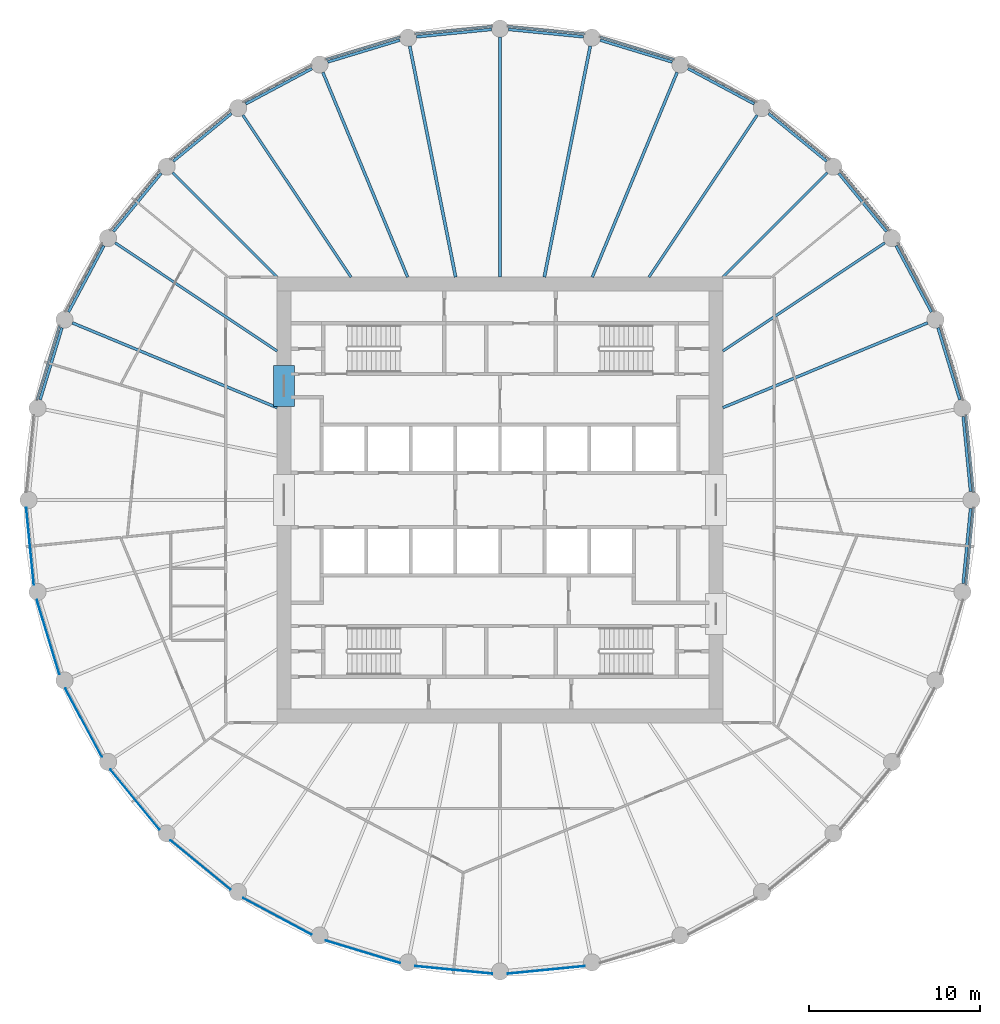
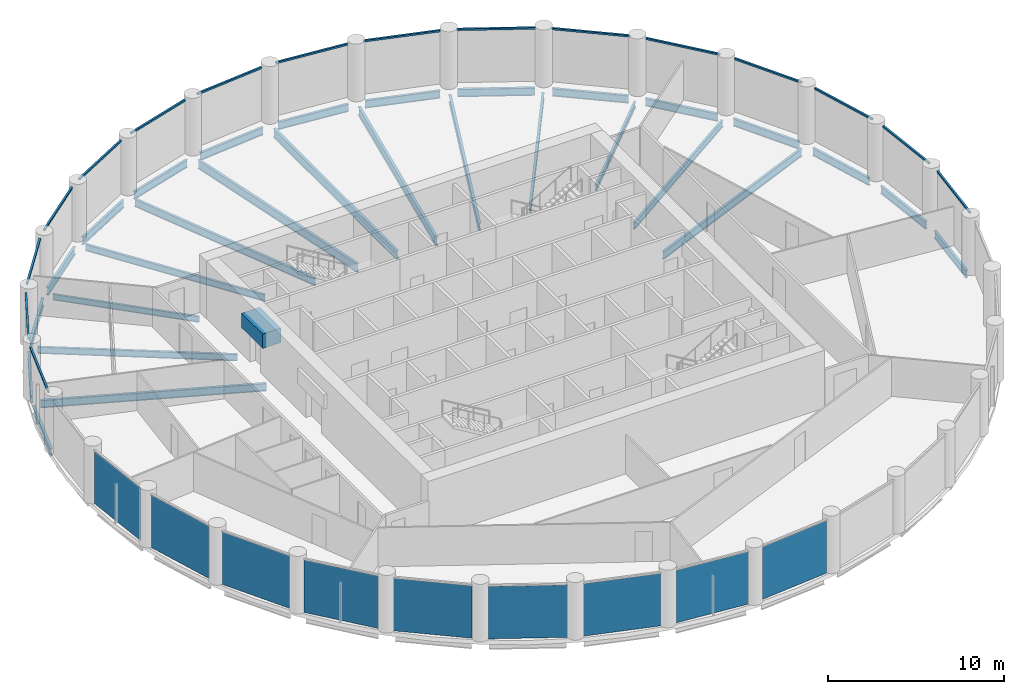
# One storey, part 2 of 9: 30 beams, 16 members, 9 plates, 25 elements without a shape of their own.
"""IFC4 building model written with IfcOpenShell, lengths in metres."""

from ifc_helpers import new_model, si_unit, direction, frame, origin, origin_2d, place, context, subcontext, project, spatial, rectangle, i_section, extrude, material, layer, layer_set, material_profile, profile_set, type_object, element, aggregate, save


model = new_model("IFC4")

# Units and contexts
model_context = context("Model", 3, precision=1e-05, world=origin(), true_north=direction((0.0, 1.0)))
body_context = subcontext(model_context, "Body", "Model", "MODEL_VIEW")
ifc_project = project(units=[si_unit("LENGTHUNIT", "METRE"), si_unit("AREAUNIT", "SQUARE_METRE"), si_unit("VOLUMEUNIT", "CUBIC_METRE"), si_unit("PLANEANGLEUNIT", "RADIAN"), si_unit("MASSUNIT", "GRAM", prefix="KILO")], contexts=[model_context])

# Site, building, storey
site_placement = place(None, origin())
site = spatial("IfcSite", under=ifc_project, at=site_placement, CompositionType="ELEMENT")
building_placement = place(site_placement, origin())
building = spatial("IfcBuilding", under=site, at=building_placement, Name="Corvane Civic Tower", CompositionType="ELEMENT")
storey_placement = place(building_placement, frame((0.0, 0.0, 225.5)))
storey = spatial("IfcBuildingStorey", under=building, at=storey_placement, Name="L53", CompositionType="ELEMENT", Elevation=225.5)

# Beams
ifc_material_1 = material(Name="Concrete C50/60", Category="concrete")
ifc_material_profile_1 = material_profile(ifc_material_1, rectangle(XDim=1.199951171875, YDim=1.0, at=origin_2d()), Name="COUPLING BEAM 1200X1000")
ifc_profile_set_1 = profile_set([ifc_material_profile_1], Name="Concrete C50/60")
beam_type_1 = type_object("IfcBeamType", Name="COUPLING BEAM COUPLING BEAM 1200X1000", PredefinedType="BEAM", material=ifc_profile_set_1)
beam_1_placement = place(storey_placement, frame((-12.60009765625, 5.449951171875, 2.60009765625), z_axis=(0.0, 1.0, 0.0), x_axis=(-1.0, 0.0, 0.0)))
element("IfcBeam", 1, at=beam_1_placement, inside=storey, type_object=beam_type_1, Name="BM-L53-cpl-CW-WN", PredefinedType="BEAM", context=body_context, shape_type="SweptSolid", body=[
    extrude(rectangle(XDim=1.199951171875, YDim=1.0, at=origin_2d()), origin(), (0.0, 0.0, 1.0), 2.400146484375),
])
ifc_material_2 = material(Name="Steel ASTM A992 Gr 50", Category="steel")
ifc_material_profile_2 = material_profile(ifc_material_2, i_section(OverallWidth=0.165771484375, OverallDepth=0.5283203125, WebThickness=0.009765625, FlangeThickness=0.013671875, at=origin_2d()), Name="W21X50")
ifc_profile_set_2 = profile_set([ifc_material_profile_2], Name="Steel ASTM A992 Gr 50")
beam_type_2 = type_object("IfcBeamType", Name="EDGE BEAM W21X50", PredefinedType="BEAM", material=ifc_profile_set_2)
beam_2_placement = place(storey_placement, frame((0.49755859375, 27.450927734375, -0.564208984375), z_axis=(0.995189593769, -0.097967711281, 0.0), x_axis=(0.097967711281, 0.995189593769, 0.0)))
element("IfcBeam", 2, at=beam_2_placement, inside=storey, type_object=beam_type_2, Name="BM-L53-E01", PredefinedType="BEAM", context=body_context, shape_type="SweptSolid", body=[
    extrude(i_section(OverallWidth=0.165771484375, OverallDepth=0.5283203125, WebThickness=0.009765625, FlangeThickness=0.013671875, at=origin_2d()), origin(), (0.0, 0.0, 1.0), 4.39111328125),
])
beam_3_placement = place(storey_placement, frame((5.843505859375, 26.826416015625, -0.564208984375), z_axis=(0.956949547653, -0.290254307888, 0.0), x_axis=(0.290254307888, 0.956949547653, 0.0)))
element("IfcBeam", 3, at=beam_3_placement, inside=storey, type_object=beam_type_2, Name="BM-L53-E02", PredefinedType="BEAM", context=body_context, shape_type="SweptSolid", body=[
    extrude(i_section(OverallWidth=0.165771484375, OverallDepth=0.5283203125, WebThickness=0.009765625, FlangeThickness=0.013671875, at=origin_2d()), origin(), (0.0, 0.0, 1.0), 4.390625),
])
for number, where, z_axis, x_axis, name in (
    (4, (10.964599609375, 25.171142578125, -0.564208984375), (0.881907756852, -0.471422006704, 0.0), (0.471422006704, 0.881907756852, 0.0), "BM-L53-E03"),
    (5, (15.66455078125, 22.54833984375, -0.564208984375), (0.773030026524, -0.634369433447, 0.0), (0.634369433447, 0.773030026524, 0.0), "BM-L53-E04"),
    (6, (19.7626953125, 19.05908203125, -0.564208984375), (0.634369433447, -0.773030026524, 0.0), (0.773030026524, 0.634369433447, 0.0), "BM-L53-E05"),
    (7, (23.10107421875, 14.837158203125, -0.564208984375), (0.471422006704, -0.881907756852, 0.0), (0.881907756852, 0.471422006704, 0.0), "BM-L53-E06"),
):
    element("IfcBeam", number, at=place(storey_placement, frame(where, z_axis=z_axis, x_axis=x_axis)), inside=storey, type_object=beam_type_2, Name=name, PredefinedType="BEAM", context=body_context, shape_type="SweptSolid", body=[
        extrude(i_section(OverallWidth=0.165771484375, OverallDepth=0.5283203125, WebThickness=0.009765625, FlangeThickness=0.013671875, at=origin_2d()), origin(), (0.0, 0.0, 1.0), 4.39111328125),
    ])
beam_4_placement = place(storey_placement, frame((25.552001953125, 10.045166015625, -0.564208984375), z_axis=(0.290254307888, -0.956949547653, 0.0), x_axis=(0.956949547653, 0.290254307888, 0.0)))
element("IfcBeam", 8, at=beam_4_placement, inside=storey, type_object=beam_type_2, Name="BM-L53-E07", PredefinedType="BEAM", context=body_context, shape_type="SweptSolid", body=[
    extrude(i_section(OverallWidth=0.165771484375, OverallDepth=0.5283203125, WebThickness=0.009765625, FlangeThickness=0.013671875, at=origin_2d()), origin(), (0.0, 0.0, 1.0), 4.390625),
])
for number, where, z_axis, x_axis, name in (
    (9, (27.020751953125, 4.867431640625, -0.564208984375), (0.097967711281, -0.995189593769, 0.0), (0.995189593769, 0.097967711281, 0.0), "BM-L53-E08"),
    (10, (27.450927734375, -0.49755859375, -0.564208984375), (-0.097967711281, -0.995189593769, 0.0), (0.995189593769, -0.097967711281, 0.0), "BM-L53-E09"),
):
    element("IfcBeam", number, at=place(storey_placement, frame(where, z_axis=z_axis, x_axis=x_axis)), inside=storey, type_object=beam_type_2, Name=name, PredefinedType="BEAM", context=body_context, shape_type="SweptSolid", body=[
        extrude(i_section(OverallWidth=0.165771484375, OverallDepth=0.5283203125, WebThickness=0.009765625, FlangeThickness=0.013671875, at=origin_2d()), origin(), (0.0, 0.0, 1.0), 4.39111328125),
    ])
beam_5_placement = place(storey_placement, frame((-26.826416015625, 5.843505859375, -0.564208984375), z_axis=(0.290254307888, 0.956949547653, 0.0), x_axis=(-0.956949547653, 0.290254307888, 0.0)))
element("IfcBeam", 11, at=beam_5_placement, inside=storey, type_object=beam_type_2, Name="BM-L53-E26", PredefinedType="BEAM", context=body_context, shape_type="SweptSolid", body=[
    extrude(i_section(OverallWidth=0.165771484375, OverallDepth=0.5283203125, WebThickness=0.009765625, FlangeThickness=0.013671875, at=origin_2d()), origin(), (0.0, 0.0, 1.0), 4.390625),
])
for number, where, z_axis, x_axis, name in (
    (12, (-25.171142578125, 10.964599609375, -0.564208984375), (0.471422006704, 0.881907756852, 0.0), (-0.881907756852, 0.471422006704, 0.0), "BM-L53-E27"),
    (13, (-22.54833984375, 15.66455078125, -0.564208984375), (0.634369433447, 0.773030026524, 0.0), (-0.773030026524, 0.634369433447, 0.0), "BM-L53-E28"),
    (14, (-19.05908203125, 19.7626953125, -0.564208984375), (0.773030026524, 0.634369433447, 0.0), (-0.634369433447, 0.773030026524, 0.0), "BM-L53-E29"),
    (15, (-14.837158203125, 23.10107421875, -0.564208984375), (0.881907756852, 0.471422006704, 0.0), (-0.471422006704, 0.881907756852, 0.0), "BM-L53-E30"),
):
    element("IfcBeam", number, at=place(storey_placement, frame(where, z_axis=z_axis, x_axis=x_axis)), inside=storey, type_object=beam_type_2, Name=name, PredefinedType="BEAM", context=body_context, shape_type="SweptSolid", body=[
        extrude(i_section(OverallWidth=0.165771484375, OverallDepth=0.5283203125, WebThickness=0.009765625, FlangeThickness=0.013671875, at=origin_2d()), origin(), (0.0, 0.0, 1.0), 4.39111328125),
    ])
beam_6_placement = place(storey_placement, frame((-10.045166015625, 25.552001953125, -0.564208984375), z_axis=(0.956949547653, 0.290254307888, 0.0), x_axis=(-0.290254307888, 0.956949547653, 0.0)))
element("IfcBeam", 16, at=beam_6_placement, inside=storey, type_object=beam_type_2, Name="BM-L53-E31", PredefinedType="BEAM", context=body_context, shape_type="SweptSolid", body=[
    extrude(i_section(OverallWidth=0.165771484375, OverallDepth=0.5283203125, WebThickness=0.009765625, FlangeThickness=0.013671875, at=origin_2d()), origin(), (0.0, 0.0, 1.0), 4.390625),
])
beam_7_placement = place(storey_placement, frame((-4.867431640625, 27.020751953125, -0.564208984375), z_axis=(0.995189593769, 0.097967711281, 0.0), x_axis=(-0.097967711281, 0.995189593769, 0.0)))
element("IfcBeam", 17, at=beam_7_placement, inside=storey, type_object=beam_type_2, Name="BM-L53-E32", PredefinedType="BEAM", context=body_context, shape_type="SweptSolid", body=[
    extrude(i_section(OverallWidth=0.165771484375, OverallDepth=0.5283203125, WebThickness=0.009765625, FlangeThickness=0.013671875, at=origin_2d()), origin(), (0.0, 0.0, 1.0), 4.39111328125),
])
ifc_material_3 = material(Name="Steel ASTM A992 Gr 50", Category="steel")
ifc_material_profile_3 = material_profile(ifc_material_3, i_section(OverallWidth=0.140380859375, OverallDepth=0.40380859375, WebThickness=0.007080078125, FlangeThickness=0.01123046875, at=origin_2d()), Name="W16X31")
ifc_profile_set_3 = profile_set([ifc_material_profile_3], Name="Steel ASTM A992 Gr 50")
beam_type_3 = type_object("IfcBeamType", Name="FLOOR GIRDER W16X31", PredefinedType="BEAM", material=ifc_profile_set_3)
for number, where, z_axis, x_axis, name in (
    (18, (13.0, 13.0, -0.501953125), (0.707106781187, 0.707106781187, 0.0), (-0.707106781187, 0.707106781187, 0.0), "BM-L53-G05"),
    (19, (-13.0, 13.0, -0.501953125), (-0.707106781187, 0.707106781187, 0.0), (-0.707106781187, -0.707106781187, 0.0), "BM-L53-G29"),
):
    element("IfcBeam", number, at=place(storey_placement, frame(where, z_axis=z_axis, x_axis=x_axis)), inside=storey, type_object=beam_type_3, Name=name, PredefinedType="BEAM", context=body_context, shape_type="SweptSolid", body=[
        extrude(i_section(OverallWidth=0.140380859375, OverallDepth=0.40380859375, WebThickness=0.007080078125, FlangeThickness=0.01123046875, at=origin_2d()), origin(), (0.0, 0.0, 1.0), 8.614990234375),
    ])
ifc_material_4 = material(Name="Steel ASTM A992 Gr 50", Category="steel")
ifc_material_profile_4 = material_profile(ifc_material_4, i_section(OverallWidth=0.15283203125, OverallDepth=0.45458984375, WebThickness=0.008056640625, FlangeThickness=0.013427734375, at=origin_2d()), Name="W18X40")
ifc_profile_set_4 = profile_set([ifc_material_profile_4], Name="Steel ASTM A992 Gr 50")
beam_type_4 = type_object("IfcBeamType", Name="FLOOR GIRDER W18X40", PredefinedType="BEAM", material=ifc_profile_set_4)
for number, where, z_axis, x_axis, name in (
    (20, (8.686279296875, 13.0, -0.52734375), (0.555577326485, 0.831464872557, 0.0), (-0.831464872557, 0.555577326485, 0.0), "BM-L53-G04"),
    (21, (13.0, 8.686279296875, -0.52734375), (0.831464872557, 0.555577326485, 0.0), (-0.555577326485, 0.831464872557, 0.0), "BM-L53-G06"),
    (22, (-13.0, 8.686279296875, -0.52734375), (-0.831464872557, 0.555577326485, 0.0), (-0.555577326485, -0.831464872557, 0.0), "BM-L53-G28"),
    (23, (-8.686279296875, 13.0, -0.52734375), (-0.555577326485, 0.831464872557, 0.0), (-0.831464872557, -0.555577326485, 0.0), "BM-L53-G30"),
):
    element("IfcBeam", number, at=place(storey_placement, frame(where, z_axis=z_axis, x_axis=x_axis)), inside=storey, type_object=beam_type_4, Name=name, PredefinedType="BEAM", context=body_context, shape_type="SweptSolid", body=[
        extrude(i_section(OverallWidth=0.15283203125, OverallDepth=0.45458984375, WebThickness=0.008056640625, FlangeThickness=0.013427734375, at=origin_2d()), origin(), (0.0, 0.0, 1.0), 11.365234375),
    ])
ifc_material_5 = material(Name="Steel ASTM A992 Gr 50", Category="steel")
ifc_material_profile_5 = material_profile(ifc_material_5, i_section(OverallWidth=0.165771484375, OverallDepth=0.5283203125, WebThickness=0.009765625, FlangeThickness=0.013671875, at=origin_2d()), Name="W21X50")
ifc_profile_set_5 = profile_set([ifc_material_profile_5], Name="Steel ASTM A992 Gr 50")
beam_type_5 = type_object("IfcBeamType", Name="FLOOR GIRDER W21X50", PredefinedType="BEAM", material=ifc_profile_set_5)
for number, where, z_axis, x_axis, name in (
    (24, (5.384765625, 13.0, -0.564208984375), (0.382686450378, 0.923878282404, 0.0), (-0.923878282404, 0.382686450378, 0.0), "BM-L53-G03"),
    (25, (13.0, 5.384765625, -0.564208984375), (0.923878282404, 0.382686450378, 0.0), (-0.382686450378, 0.923878282404, 0.0), "BM-L53-G07"),
    (26, (-13.0, 5.384765625, -0.564208984375), (-0.923878282404, 0.382686450378, 0.0), (-0.382686450378, -0.923878282404, 0.0), "BM-L53-G27"),
    (27, (-5.384765625, 13.0, -0.564208984375), (-0.382686450378, 0.923878282404, 0.0), (-0.923878282404, -0.382686450378, 0.0), "BM-L53-G31"),
):
    element("IfcBeam", number, at=place(storey_placement, frame(where, z_axis=z_axis, x_axis=x_axis)), inside=storey, type_object=beam_type_5, Name=name, PredefinedType="BEAM", context=body_context, shape_type="SweptSolid", body=[
        extrude(i_section(OverallWidth=0.165771484375, OverallDepth=0.5283203125, WebThickness=0.009765625, FlangeThickness=0.013671875, at=origin_2d()), origin(), (0.0, 0.0, 1.0), 12.928955078125),
    ])
ifc_material_6 = material(Name="Steel ASTM A992 Gr 50", Category="steel")
ifc_material_profile_6 = material_profile(ifc_material_6, i_section(OverallWidth=0.177978515625, OverallDepth=0.599365234375, WebThickness=0.010009765625, FlangeThickness=0.012939453125, at=origin_2d()), Name="W24X55")
ifc_profile_set_6 = profile_set([ifc_material_profile_6], Name="Steel ASTM A992 Gr 50")
beam_type_6 = type_object("IfcBeamType", Name="FLOOR GIRDER W24X55", PredefinedType="BEAM", material=ifc_profile_set_6)
beam_8_placement = place(storey_placement, frame((0.0, 13.0, -0.599609375), z_axis=(0.0, 1.0, 0.0), x_axis=(-1.0, 0.0, 0.0)))
element("IfcBeam", 28, at=beam_8_placement, inside=storey, type_object=beam_type_6, Name="BM-L53-G01", PredefinedType="BEAM", context=body_context, shape_type="SweptSolid", body=[
    extrude(i_section(OverallWidth=0.177978515625, OverallDepth=0.599365234375, WebThickness=0.010009765625, FlangeThickness=0.012939453125, at=origin_2d()), origin(), (0.0, 0.0, 1.0), 14.0),
])
for number, where, z_axis, x_axis, name in (
    (29, (2.5859375, 13.0, -0.599609375), (0.195077644118, 0.980787802109, 0.0), (-0.980787802109, 0.195077644118, 0.0), "BM-L53-G02"),
    (30, (-2.5859375, 13.0, -0.599609375), (-0.195077644118, 0.980787802109, 0.0), (-0.980787802109, -0.195077644118, 0.0), "BM-L53-G32"),
):
    element("IfcBeam", number, at=place(storey_placement, frame(where, z_axis=z_axis, x_axis=x_axis)), inside=storey, type_object=beam_type_6, Name=name, PredefinedType="BEAM", context=body_context, shape_type="SweptSolid", body=[
        extrude(i_section(OverallWidth=0.177978515625, OverallDepth=0.599365234375, WebThickness=0.010009765625, FlangeThickness=0.012939453125, at=origin_2d()), origin(), (0.0, 0.0, 1.0), 13.745361328125),
    ])

# Curtain wall, member
ifc_material_7 = material(Name="Anodised aluminium bronze", Category="aluminium")
curtain_wall_type = type_object("IfcCurtainWallType", Name="TOWER CW-T2 STICK CURTAIN WALL", PredefinedType="NOTDEFINED", material=ifc_material_7)
curtain_wall_1_placement = place(storey_placement, origin())
curtain_wall_1 = element("IfcCurtainWall", 31, at=curtain_wall_1_placement, inside=storey, type_object=curtain_wall_type, Name="Curtain wall CW-T2 L53 bay 01", PredefinedType="NOTDEFINED")
ifc_material_8 = material(Name="Anodised aluminium bronze", Category="aluminium")
ifc_material_profile_7 = material_profile(ifc_material_8, rectangle(XDim=0.1201171875, YDim=0.1201171875, at=origin_2d()), Name="TOWER CW-T2 TRANSOM 120x120")
ifc_profile_set_7 = profile_set([ifc_material_profile_7], Name="Anodised aluminium bronze")
member_type = type_object("IfcMemberType", Name="TOWER CW-T2 TRANSOM 120x120", PredefinedType="USERDEFINED", material=ifc_profile_set_7)
member_1_placement = place(storey_placement, frame((0.452392578125, 27.635498046875, 3.68994140625), z_axis=(0.995182207386, -0.098042715701, 0.0), x_axis=(0.098042715701, 0.995182207386, 0.0)))
member_1 = element("IfcMember", 32, at=member_1_placement, type_object=member_type, Name="Transom CW-T2 L53 01.1", ObjectType="TRANSOM", PredefinedType="USERDEFINED", context=body_context, shape_type="SweptSolid", body=[
    extrude(rectangle(XDim=0.1201171875, YDim=0.1201171875, at=origin_2d()), origin(), (0.0, 0.0, 1.0), 4.51708984375),
])
aggregate(curtain_wall_1, [member_1])

curtain_wall_2_placement = place(storey_placement, origin())
curtain_wall_2 = element("IfcCurtainWall", 33, at=curtain_wall_2_placement, inside=storey, type_object=curtain_wall_type, Name="Curtain wall CW-T2 L53 bay 02", PredefinedType="NOTDEFINED")
member_2_placement = place(storey_placement, frame((5.8349609375, 27.016357421875, 3.68994140625), z_axis=(0.956941182173, -0.2902818869, 0.0), x_axis=(0.2902818869, 0.956941182173, 0.0)))
member_2 = element("IfcMember", 34, at=member_2_placement, type_object=member_type, Name="Transom CW-T2 L53 02.1", ObjectType="TRANSOM", PredefinedType="USERDEFINED", context=body_context, shape_type="SweptSolid", body=[
    extrude(rectangle(XDim=0.1201171875, YDim=0.1201171875, at=origin_2d()), origin(), (0.0, 0.0, 1.0), 4.517333984375),
])
aggregate(curtain_wall_2, [member_2])

curtain_wall_3_placement = place(storey_placement, origin())
curtain_wall_3 = element("IfcCurtainWall", 35, at=curtain_wall_3_placement, inside=storey, type_object=curtain_wall_type, Name="Curtain wall CW-T2 L53 bay 03", PredefinedType="NOTDEFINED")
member_3_placement = place(storey_placement, frame((10.993408203125, 25.35888671875, 3.68994140625), z_axis=(0.881924695689, -0.471390317183, 0.0), x_axis=(0.471390317183, 0.881924695689, 0.0)))
member_3 = element("IfcMember", 36, at=member_3_placement, type_object=member_type, Name="Transom CW-T2 L53 03.1", ObjectType="TRANSOM", PredefinedType="USERDEFINED", context=body_context, shape_type="SweptSolid", body=[
    extrude(rectangle(XDim=0.1201171875, YDim=0.1201171875, at=origin_2d()), origin(), (0.0, 0.0, 1.0), 4.517333984375),
])
aggregate(curtain_wall_3, [member_3])

curtain_wall_4_placement = place(storey_placement, origin())
curtain_wall_4 = element("IfcCurtainWall", 37, at=curtain_wall_4_placement, inside=storey, type_object=curtain_wall_type, Name="Curtain wall CW-T2 L53 bay 04", PredefinedType="NOTDEFINED")
member_4_placement = place(storey_placement, frame((15.7294921875, 22.726806640625, 3.68994140625), z_axis=(0.773014925698, -0.634387834569, 0.0), x_axis=(0.634387834569, 0.773014925698, 0.0)))
member_4 = element("IfcMember", 38, at=member_4_placement, type_object=member_type, Name="Transom CW-T2 L53 04.1", ObjectType="TRANSOM", PredefinedType="USERDEFINED", context=body_context, shape_type="SweptSolid", body=[
    extrude(rectangle(XDim=0.1201171875, YDim=0.1201171875, at=origin_2d()), origin(), (0.0, 0.0, 1.0), 4.517333984375),
])
aggregate(curtain_wall_4, [member_4])

curtain_wall_5_placement = place(storey_placement, origin())
curtain_wall_5 = element("IfcCurtainWall", 39, at=curtain_wall_5_placement, inside=storey, type_object=curtain_wall_type, Name="Curtain wall CW-T2 L53 bay 05", PredefinedType="NOTDEFINED")
member_5_placement = place(storey_placement, frame((19.861083984375, 19.221435546875, 3.68994140625), z_axis=(0.634387834569, -0.773014925698, 0.0), x_axis=(0.773014925698, 0.634387834569, 0.0)))
member_5 = element("IfcMember", 40, at=member_5_placement, type_object=member_type, Name="Transom CW-T2 L53 05.1", ObjectType="TRANSOM", PredefinedType="USERDEFINED", context=body_context, shape_type="SweptSolid", body=[
    extrude(rectangle(XDim=0.1201171875, YDim=0.1201171875, at=origin_2d()), origin(), (0.0, 0.0, 1.0), 4.517333984375),
])
aggregate(curtain_wall_5, [member_5])

curtain_wall_6_placement = place(storey_placement, origin())
curtain_wall_6 = element("IfcCurtainWall", 41, at=curtain_wall_6_placement, inside=storey, type_object=curtain_wall_type, Name="Curtain wall CW-T2 L53 bay 06", PredefinedType="NOTDEFINED")
member_6_placement = place(storey_placement, frame((23.2294921875, 14.977294921875, 3.68994140625), z_axis=(0.471390317183, -0.881924695689, 0.0), x_axis=(0.881924695689, 0.471390317183, 0.0)))
member_6 = element("IfcMember", 42, at=member_6_placement, type_object=member_type, Name="Transom CW-T2 L53 06.1", ObjectType="TRANSOM", PredefinedType="USERDEFINED", context=body_context, shape_type="SweptSolid", body=[
    extrude(rectangle(XDim=0.1201171875, YDim=0.1201171875, at=origin_2d()), origin(), (0.0, 0.0, 1.0), 4.517333984375),
])
aggregate(curtain_wall_6, [member_6])

curtain_wall_7_placement = place(storey_placement, origin())
curtain_wall_7 = element("IfcCurtainWall", 43, at=curtain_wall_7_placement, inside=storey, type_object=curtain_wall_type, Name="Curtain wall CW-T2 L53 bay 07", PredefinedType="NOTDEFINED")
member_7_placement = place(storey_placement, frame((25.705078125, 10.15771484375, 3.68994140625), z_axis=(0.2902818869, -0.956941182173, 0.0), x_axis=(0.956941182173, 0.2902818869, 0.0)))
member_7 = element("IfcMember", 44, at=member_7_placement, type_object=member_type, Name="Transom CW-T2 L53 07.1", ObjectType="TRANSOM", PredefinedType="USERDEFINED", context=body_context, shape_type="SweptSolid", body=[
    extrude(rectangle(XDim=0.1201171875, YDim=0.1201171875, at=origin_2d()), origin(), (0.0, 0.0, 1.0), 4.517333984375),
])
aggregate(curtain_wall_7, [member_7])

curtain_wall_8_placement = place(storey_placement, origin())
curtain_wall_8 = element("IfcCurtainWall", 45, at=curtain_wall_8_placement, inside=storey, type_object=curtain_wall_type, Name="Curtain wall CW-T2 L53 bay 08", PredefinedType="NOTDEFINED")
member_8_placement = place(storey_placement, frame((27.192626953125, 4.94775390625, 3.68994140625), z_axis=(0.098042715701, -0.995182207386, 0.0), x_axis=(0.995182207386, 0.098042715701, 0.0)))
member_8 = element("IfcMember", 46, at=member_8_placement, type_object=member_type, Name="Transom CW-T2 L53 08.1", ObjectType="TRANSOM", PredefinedType="USERDEFINED", context=body_context, shape_type="SweptSolid", body=[
    extrude(rectangle(XDim=0.1201171875, YDim=0.1201171875, at=origin_2d()), origin(), (0.0, 0.0, 1.0), 4.51708984375),
])
aggregate(curtain_wall_8, [member_8])

curtain_wall_9_placement = place(storey_placement, origin())
curtain_wall_9 = element("IfcCurtainWall", 47, at=curtain_wall_9_placement, inside=storey, type_object=curtain_wall_type, Name="Curtain wall CW-T2 L53 bay 09", PredefinedType="NOTDEFINED")
member_9_placement = place(storey_placement, frame((27.635498046875, -0.452392578125, 3.68994140625), z_axis=(-0.098042715701, -0.995182207386, 0.0), x_axis=(0.995182207386, -0.098042715701, 0.0)))
member_9 = element("IfcMember", 48, at=member_9_placement, type_object=member_type, Name="Transom CW-T2 L53 09.1", ObjectType="TRANSOM", PredefinedType="USERDEFINED", context=body_context, shape_type="SweptSolid", body=[
    extrude(rectangle(XDim=0.1201171875, YDim=0.1201171875, at=origin_2d()), origin(), (0.0, 0.0, 1.0), 4.51708984375),
])
aggregate(curtain_wall_9, [member_9])

curtain_wall_10_placement = place(storey_placement, origin())
curtain_wall_10 = element("IfcCurtainWall", 49, at=curtain_wall_10_placement, inside=storey, type_object=curtain_wall_type, Name="Curtain wall CW-T2 L53 bay 26", PredefinedType="NOTDEFINED")
member_10_placement = place(storey_placement, frame((-27.016357421875, 5.8349609375, 3.68994140625), z_axis=(0.2902818869, 0.956941182173, 0.0), x_axis=(-0.956941182173, 0.2902818869, 0.0)))
member_10 = element("IfcMember", 50, at=member_10_placement, type_object=member_type, Name="Transom CW-T2 L53 26.1", ObjectType="TRANSOM", PredefinedType="USERDEFINED", context=body_context, shape_type="SweptSolid", body=[
    extrude(rectangle(XDim=0.1201171875, YDim=0.1201171875, at=origin_2d()), origin(), (0.0, 0.0, 1.0), 4.517333984375),
])
aggregate(curtain_wall_10, [member_10])

curtain_wall_11_placement = place(storey_placement, origin())
curtain_wall_11 = element("IfcCurtainWall", 51, at=curtain_wall_11_placement, inside=storey, type_object=curtain_wall_type, Name="Curtain wall CW-T2 L53 bay 27", PredefinedType="NOTDEFINED")
member_11_placement = place(storey_placement, frame((-25.35888671875, 10.993408203125, 3.68994140625), z_axis=(0.471390317183, 0.881924695689, 0.0), x_axis=(-0.881924695689, 0.471390317183, 0.0)))
member_11 = element("IfcMember", 52, at=member_11_placement, type_object=member_type, Name="Transom CW-T2 L53 27.1", ObjectType="TRANSOM", PredefinedType="USERDEFINED", context=body_context, shape_type="SweptSolid", body=[
    extrude(rectangle(XDim=0.1201171875, YDim=0.1201171875, at=origin_2d()), origin(), (0.0, 0.0, 1.0), 4.517333984375),
])
aggregate(curtain_wall_11, [member_11])

curtain_wall_12_placement = place(storey_placement, origin())
curtain_wall_12 = element("IfcCurtainWall", 53, at=curtain_wall_12_placement, inside=storey, type_object=curtain_wall_type, Name="Curtain wall CW-T2 L53 bay 28", PredefinedType="NOTDEFINED")
member_12_placement = place(storey_placement, frame((-22.726806640625, 15.7294921875, 3.68994140625), z_axis=(0.634387834569, 0.773014925698, 0.0), x_axis=(-0.773014925698, 0.634387834569, 0.0)))
member_12 = element("IfcMember", 54, at=member_12_placement, type_object=member_type, Name="Transom CW-T2 L53 28.1", ObjectType="TRANSOM", PredefinedType="USERDEFINED", context=body_context, shape_type="SweptSolid", body=[
    extrude(rectangle(XDim=0.1201171875, YDim=0.1201171875, at=origin_2d()), origin(), (0.0, 0.0, 1.0), 4.517333984375),
])
aggregate(curtain_wall_12, [member_12])

curtain_wall_13_placement = place(storey_placement, origin())
curtain_wall_13 = element("IfcCurtainWall", 55, at=curtain_wall_13_placement, inside=storey, type_object=curtain_wall_type, Name="Curtain wall CW-T2 L53 bay 29", PredefinedType="NOTDEFINED")
member_13_placement = place(storey_placement, frame((-19.221435546875, 19.861083984375, 3.68994140625), z_axis=(0.773014925698, 0.634387834569, 0.0), x_axis=(-0.634387834569, 0.773014925698, 0.0)))
member_13 = element("IfcMember", 56, at=member_13_placement, type_object=member_type, Name="Transom CW-T2 L53 29.1", ObjectType="TRANSOM", PredefinedType="USERDEFINED", context=body_context, shape_type="SweptSolid", body=[
    extrude(rectangle(XDim=0.1201171875, YDim=0.1201171875, at=origin_2d()), origin(), (0.0, 0.0, 1.0), 4.517333984375),
])
aggregate(curtain_wall_13, [member_13])

curtain_wall_14_placement = place(storey_placement, origin())
curtain_wall_14 = element("IfcCurtainWall", 57, at=curtain_wall_14_placement, inside=storey, type_object=curtain_wall_type, Name="Curtain wall CW-T2 L53 bay 30", PredefinedType="NOTDEFINED")
member_14_placement = place(storey_placement, frame((-14.977294921875, 23.2294921875, 3.68994140625), z_axis=(0.881924695689, 0.471390317183, 0.0), x_axis=(-0.471390317183, 0.881924695689, 0.0)))
member_14 = element("IfcMember", 58, at=member_14_placement, type_object=member_type, Name="Transom CW-T2 L53 30.1", ObjectType="TRANSOM", PredefinedType="USERDEFINED", context=body_context, shape_type="SweptSolid", body=[
    extrude(rectangle(XDim=0.1201171875, YDim=0.1201171875, at=origin_2d()), origin(), (0.0, 0.0, 1.0), 4.517333984375),
])
aggregate(curtain_wall_14, [member_14])

curtain_wall_15_placement = place(storey_placement, origin())
curtain_wall_15 = element("IfcCurtainWall", 59, at=curtain_wall_15_placement, inside=storey, type_object=curtain_wall_type, Name="Curtain wall CW-T2 L53 bay 31", PredefinedType="NOTDEFINED")
member_15_placement = place(storey_placement, frame((-10.15771484375, 25.705078125, 3.68994140625), z_axis=(0.956941182173, 0.2902818869, 0.0), x_axis=(-0.2902818869, 0.956941182173, 0.0)))
member_15 = element("IfcMember", 60, at=member_15_placement, type_object=member_type, Name="Transom CW-T2 L53 31.1", ObjectType="TRANSOM", PredefinedType="USERDEFINED", context=body_context, shape_type="SweptSolid", body=[
    extrude(rectangle(XDim=0.1201171875, YDim=0.1201171875, at=origin_2d()), origin(), (0.0, 0.0, 1.0), 4.517333984375),
])
aggregate(curtain_wall_15, [member_15])

curtain_wall_16_placement = place(storey_placement, origin())
curtain_wall_16 = element("IfcCurtainWall", 61, at=curtain_wall_16_placement, inside=storey, type_object=curtain_wall_type, Name="Curtain wall CW-T2 L53 bay 32", PredefinedType="NOTDEFINED")
member_16_placement = place(storey_placement, frame((-4.94775390625, 27.192626953125, 3.68994140625), z_axis=(0.995182207386, 0.098042715701, 0.0), x_axis=(-0.098042715701, 0.995182207386, 0.0)))
member_16 = element("IfcMember", 62, at=member_16_placement, type_object=member_type, Name="Transom CW-T2 L53 32.1", ObjectType="TRANSOM", PredefinedType="USERDEFINED", context=body_context, shape_type="SweptSolid", body=[
    extrude(rectangle(XDim=0.1201171875, YDim=0.1201171875, at=origin_2d()), origin(), (0.0, 0.0, 1.0), 4.51708984375),
])
aggregate(curtain_wall_16, [member_16])

# Curtain wall, plate
curtain_wall_17_placement = place(storey_placement, origin())
curtain_wall_17 = element("IfcCurtainWall", 63, at=curtain_wall_17_placement, inside=storey, type_object=curtain_wall_type, Name="Curtain wall CW-T2 L53 bay 16", PredefinedType="NOTDEFINED")
ifc_material_9 = material(Name="Tinted glass", Category="glass")
ifc_layer = layer(ifc_material_9, 0.031982421875)
ifc_layer_set = layer_set([ifc_layer], Name="Tinted glass")
plate_type = type_object("IfcPlateType", Name="TOWER CW-T2 PANEL IGU32", PredefinedType="CURTAIN_PANEL", material=ifc_layer_set)
plate_1_placement = place(storey_placement, frame((2.699951171875, -27.4140625, 0.0), z_axis=(0.0, 0.0, 1.0), x_axis=(-0.995187058378, -0.097993463235, 0.0)))
plate_1 = element("IfcPlate", 64, at=plate_1_placement, type_object=plate_type, Name="Glass panel CW-T2 L53 16.1", PredefinedType="CURTAIN_PANEL", context=body_context, shape_type="SweptSolid", body=[
    extrude(rectangle(XDim=4.517333984375, YDim=0.031982421875, at=origin_2d()), origin(), (0.0, 0.0, 1.0), 3.6298828125),
])
aggregate(curtain_wall_17, [plate_1])

curtain_wall_18_placement = place(storey_placement, origin())
curtain_wall_18 = element("IfcCurtainWall", 65, at=curtain_wall_18_placement, inside=storey, type_object=curtain_wall_type, Name="Curtain wall CW-T2 L53 bay 17", PredefinedType="NOTDEFINED")
plate_2_placement = place(storey_placement, frame((-2.699951171875, -27.4140625, 0.0), z_axis=(0.0, 0.0, 1.0), x_axis=(-0.995187058378, 0.097993463235, 0.0)))
plate_2 = element("IfcPlate", 66, at=plate_2_placement, type_object=plate_type, Name="Glass panel CW-T2 L53 17.1", PredefinedType="CURTAIN_PANEL", context=body_context, shape_type="SweptSolid", body=[
    extrude(rectangle(XDim=4.517333984375, YDim=0.031982421875, at=origin_2d()), origin(), (0.0, 0.0, 1.0), 3.6298828125),
])
aggregate(curtain_wall_18, [plate_2])

curtain_wall_19_placement = place(storey_placement, origin())
curtain_wall_19 = element("IfcCurtainWall", 67, at=curtain_wall_19_placement, inside=storey, type_object=curtain_wall_type, Name="Curtain wall CW-T2 L53 bay 18", PredefinedType="NOTDEFINED")
plate_3_placement = place(storey_placement, frame((-7.996337890625, -26.360595703125, 0.0), z_axis=(0.0, 0.0, 1.0), x_axis=(-0.956938843612, 0.290289596069, 0.0)))
plate_3 = element("IfcPlate", 68, at=plate_3_placement, type_object=plate_type, Name="Glass panel CW-T2 L53 18.1", PredefinedType="CURTAIN_PANEL", context=body_context, shape_type="SweptSolid", body=[
    extrude(rectangle(XDim=4.517333984375, YDim=0.031982421875, at=origin_2d()), origin(), (0.0, 0.0, 1.0), 3.6298828125),
])
aggregate(curtain_wall_19, [plate_3])

curtain_wall_20_placement = place(storey_placement, origin())
curtain_wall_20 = element("IfcCurtainWall", 69, at=curtain_wall_20_placement, inside=storey, type_object=curtain_wall_type, Name="Curtain wall CW-T2 L53 bay 19", PredefinedType="NOTDEFINED")
plate_4_placement = place(storey_placement, frame((-12.9853515625, -24.294189453125, 0.0), z_axis=(0.0, 0.0, 1.0), x_axis=(-0.881920381001, 0.471398389449, 0.0)))
plate_4 = element("IfcPlate", 70, at=plate_4_placement, type_object=plate_type, Name="Glass panel CW-T2 L53 19.1", PredefinedType="CURTAIN_PANEL", context=body_context, shape_type="SweptSolid", body=[
    extrude(rectangle(XDim=4.517333984375, YDim=0.031982421875, at=origin_2d()), origin(), (0.0, 0.0, 1.0), 3.6298828125),
])
aggregate(curtain_wall_20, [plate_4])

curtain_wall_21_placement = place(storey_placement, origin())
curtain_wall_21 = element("IfcCurtainWall", 71, at=curtain_wall_21_placement, inside=storey, type_object=curtain_wall_type, Name="Curtain wall CW-T2 L53 bay 20", PredefinedType="NOTDEFINED")
plate_5_placement = place(storey_placement, frame((-17.475341796875, -21.2939453125, 0.0), z_axis=(0.0, 0.0, 1.0), x_axis=(-0.773012269331, 0.634391071394, 0.0)))
plate_5 = element("IfcPlate", 72, at=plate_5_placement, type_object=plate_type, Name="Glass panel CW-T2 L53 20.1", PredefinedType="CURTAIN_PANEL", context=body_context, shape_type="SweptSolid", body=[
    extrude(rectangle(XDim=4.517333984375, YDim=0.031982421875, at=origin_2d()), origin(), (0.0, 0.0, 1.0), 3.6298828125),
])
aggregate(curtain_wall_21, [plate_5])

curtain_wall_22_placement = place(storey_placement, origin())
curtain_wall_22 = element("IfcCurtainWall", 73, at=curtain_wall_22_placement, inside=storey, type_object=curtain_wall_type, Name="Curtain wall CW-T2 L53 bay 21", PredefinedType="NOTDEFINED")
plate_6_placement = place(storey_placement, frame((-21.2939453125, -17.475341796875, 0.0), z_axis=(0.0, 0.0, 1.0), x_axis=(-0.634391071394, 0.773012269331, 0.0)))
plate_6 = element("IfcPlate", 74, at=plate_6_placement, type_object=plate_type, Name="Glass panel CW-T2 L53 21.1", PredefinedType="CURTAIN_PANEL", context=body_context, shape_type="SweptSolid", body=[
    extrude(rectangle(XDim=4.517333984375, YDim=0.031982421875, at=origin_2d()), origin(), (0.0, 0.0, 1.0), 3.6298828125),
])
aggregate(curtain_wall_22, [plate_6])

curtain_wall_23_placement = place(storey_placement, origin())
curtain_wall_23 = element("IfcCurtainWall", 75, at=curtain_wall_23_placement, inside=storey, type_object=curtain_wall_type, Name="Curtain wall CW-T2 L53 bay 22", PredefinedType="NOTDEFINED")
plate_7_placement = place(storey_placement, frame((-24.294189453125, -12.9853515625, 0.0), z_axis=(0.0, 0.0, 1.0), x_axis=(-0.471398389449, 0.881920381001, 0.0)))
plate_7 = element("IfcPlate", 76, at=plate_7_placement, type_object=plate_type, Name="Glass panel CW-T2 L53 22.1", PredefinedType="CURTAIN_PANEL", context=body_context, shape_type="SweptSolid", body=[
    extrude(rectangle(XDim=4.517333984375, YDim=0.031982421875, at=origin_2d()), origin(), (0.0, 0.0, 1.0), 3.6298828125),
])
aggregate(curtain_wall_23, [plate_7])

curtain_wall_24_placement = place(storey_placement, origin())
curtain_wall_24 = element("IfcCurtainWall", 77, at=curtain_wall_24_placement, inside=storey, type_object=curtain_wall_type, Name="Curtain wall CW-T2 L53 bay 23", PredefinedType="NOTDEFINED")
plate_8_placement = place(storey_placement, frame((-26.360595703125, -7.996337890625, 0.0), z_axis=(0.0, 0.0, 1.0), x_axis=(-0.290289596069, 0.956938843612, 0.0)))
plate_8 = element("IfcPlate", 78, at=plate_8_placement, type_object=plate_type, Name="Glass panel CW-T2 L53 23.1", PredefinedType="CURTAIN_PANEL", context=body_context, shape_type="SweptSolid", body=[
    extrude(rectangle(XDim=4.517333984375, YDim=0.031982421875, at=origin_2d()), origin(), (0.0, 0.0, 1.0), 3.6298828125),
])
aggregate(curtain_wall_24, [plate_8])

curtain_wall_25_placement = place(storey_placement, origin())
curtain_wall_25 = element("IfcCurtainWall", 79, at=curtain_wall_25_placement, inside=storey, type_object=curtain_wall_type, Name="Curtain wall CW-T2 L53 bay 24", PredefinedType="NOTDEFINED")
plate_9_placement = place(storey_placement, frame((-27.4140625, -2.699951171875, 0.0), z_axis=(0.0, 0.0, 1.0), x_axis=(-0.097993463235, 0.995187058378, 0.0)))
plate_9 = element("IfcPlate", 80, at=plate_9_placement, type_object=plate_type, Name="Glass panel CW-T2 L53 24.1", PredefinedType="CURTAIN_PANEL", context=body_context, shape_type="SweptSolid", body=[
    extrude(rectangle(XDim=4.517333984375, YDim=0.031982421875, at=origin_2d()), origin(), (0.0, 0.0, 1.0), 3.6298828125),
])
aggregate(curtain_wall_25, [plate_9])

save(model, "model.ifc")
